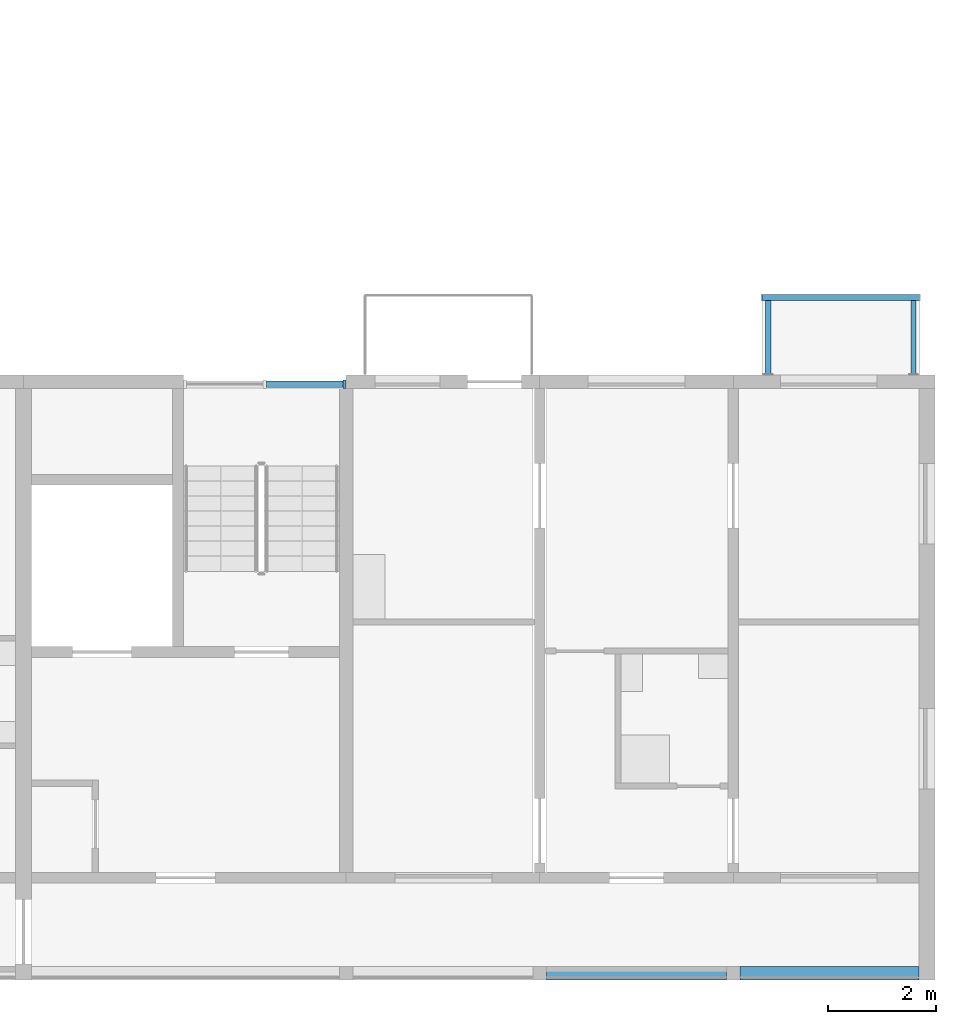
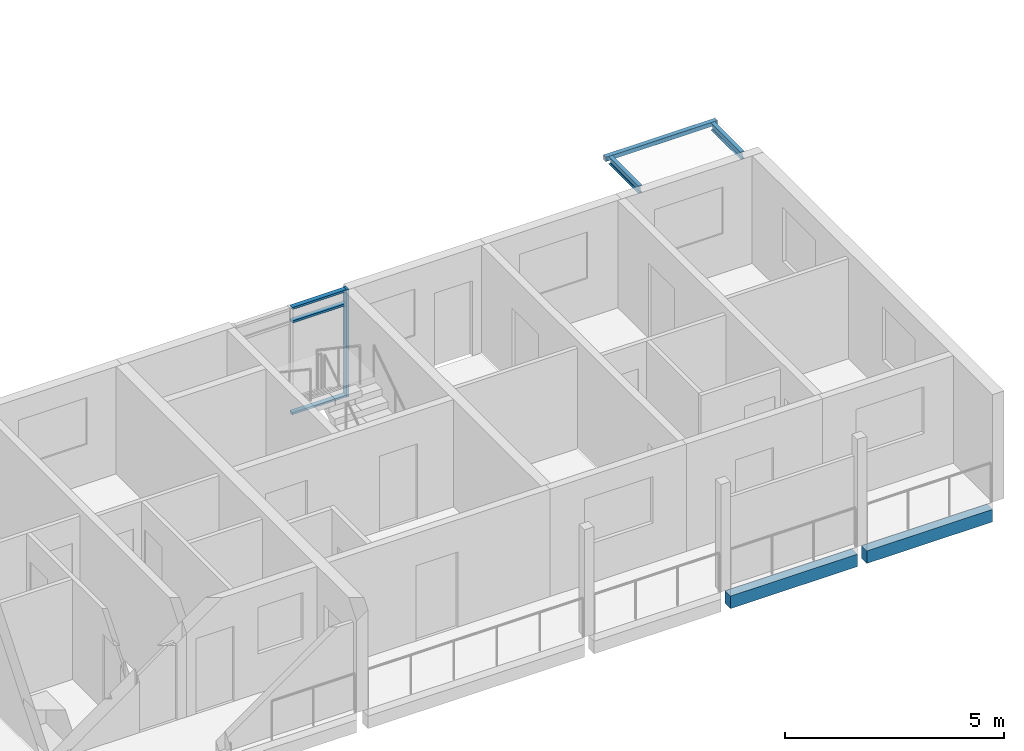
# One storey, part 17 of 93: 5 beams, 4 members, 1 element without a shape of its own.
"""IFC4 building model written with IfcOpenShell, lengths in metres."""

import ifcopenshell
import ifcopenshell.guid

model = None  # the IFC model being written
_history = None  # IfcOwnerHistory: only IFC2X3 demands one
_inside = {}  # id of a spatial element -> (the spatial element, [elements in it])
_under = {}  # id of a project, library or spatial element -> (it, [spatial elements below it])
_declared = {}  # id of a project -> (the project, [libraries it declares])
_typed = {}  # id of a type object -> (the type object, [elements of that type])
_made_of = {}  # id of a material, layer set ... -> (it, [elements and type objects made of it])


def new_model(schema):
    """Start an empty IFC model of exactly this schema.

    Asked for "IFC4X3", IfcOpenShell would pick the latest addendum, in which some entities
    have other attributes; the version numbers below select the first issue.
    IFC2X3 requires an IfcOwnerHistory on every rooted entity: one is made here for all.
    """
    global model, _history
    if schema == "IFC4X3":
        model = ifcopenshell.file(schema_version=(4, 3, 0, 0))
    else:
        model = ifcopenshell.file(schema=schema)
    _inside.clear()
    _under.clear()
    _declared.clear()
    _typed.clear()
    _made_of.clear()
    _history = None
    if model.schema == "IFC2X3":
        org = make("IfcOrganization", Name="unknown")
        user = make(
            "IfcPersonAndOrganization",
            ThePerson=make("IfcPerson", FamilyName="unknown"),
            TheOrganization=org,
        )
        app = make(
            "IfcApplication",
            ApplicationDeveloper=org,
            Version="unknown",
            ApplicationFullName="unknown",
            ApplicationIdentifier="unknown",
        )
        _history = make(
            "IfcOwnerHistory",
            OwningUser=user,
            OwningApplication=app,
            ChangeAction="ADDED",
            CreationDate=0,
        )
    return model


def make(cls, **values):
    """One entity of the class cls with the attributes given. An attribute that is None is left unset."""
    return model.create_entity(
        cls, **{name: value for name, value in values.items() if value is not None}
    )


def rooted(cls, **values):
    """An entity with a GlobalId (a new one), such as an element, a storey or a relation."""
    return make(cls, GlobalId=ifcopenshell.guid.new(), OwnerHistory=_history, **values)


def si_unit(unit_type, name, prefix=None):
    """IfcSIUnit, for example si_unit("LENGTHUNIT", "METRE", prefix="MILLI")."""
    return make("IfcSIUnit", UnitType=unit_type, Prefix=prefix, Name=name)


def assignment(units):
    """IfcUnitAssignment: the units of a project."""
    return None if units is None else make("IfcUnitAssignment", Units=units)


def point(xyz):
    """IfcCartesianPoint."""
    return None if xyz is None else make("IfcCartesianPoint", Coordinates=xyz)


def direction(xyz):
    """IfcDirection."""
    return None if xyz is None else make("IfcDirection", DirectionRatios=xyz)


def frame(location, z_axis=None, x_axis=None):
    """IfcAxis2Placement3D, a coordinate frame: its origin and axes. An axis left out is left unset."""
    return make(
        "IfcAxis2Placement3D",
        Location=point(location),
        Axis=direction(z_axis),
        RefDirection=direction(x_axis),
    )


def frame_2d(location, x_axis=None):
    """IfcAxis2Placement2D, a coordinate frame in the plane: its origin and x axis."""
    return make(
        "IfcAxis2Placement2D", Location=point(location), RefDirection=direction(x_axis)
    )


def origin():
    """The frame at (0, 0, 0) with its axes left unset."""
    return frame((0.0, 0.0, 0.0))


def origin_2d():
    """The frame at (0, 0) in the plane with its x axis left unset."""
    return frame_2d((0.0, 0.0))


def place(relative_to, where):
    """IfcLocalPlacement: puts the frame where relative to a parent placement (None: the world)."""
    return make(
        "IfcLocalPlacement", PlacementRelTo=relative_to, RelativePlacement=where
    )


def context(
    kind, dimensions, precision=None, world=None, true_north=None, identifier=None
):
    """IfcGeometricRepresentationContext, for example the 3D "Model" context."""
    return make(
        "IfcGeometricRepresentationContext",
        ContextIdentifier=identifier,
        ContextType=kind,
        CoordinateSpaceDimension=dimensions,
        Precision=precision,
        WorldCoordinateSystem=world,
        TrueNorth=true_north,
    )


def subcontext(parent, identifier, kind, view, scale=None):
    """IfcGeometricRepresentationSubContext, for example "Body" below "Model"."""
    return make(
        "IfcGeometricRepresentationSubContext",
        ContextIdentifier=identifier,
        ContextType=kind,
        ParentContext=parent,
        TargetScale=scale,
        TargetView=view,
    )


def project(units=None, contexts=None):
    """IfcProject with its units and contexts."""
    return rooted(
        "IfcProject",
        Name="project",
        RepresentationContexts=contexts,
        UnitsInContext=assignment(units),
    )


def spatial(cls, under=None, at=None, **own):
    """A site, building, storey or space (cls), placed at a placement, below another one or the project."""
    s = rooted(cls, ObjectPlacement=at, **own)
    if under is not None:
        _under.setdefault(under.id(), (under, []))[1].append(s)
    return s


def profile(cls, at=None, kind="AREA", **sizes):
    """A parametric profile (cls). Its sizes go by their IFC names, for example OverallWidth=200.0."""
    return make(cls, ProfileType=kind, Position=at, **sizes)


def rectangle(**sizes):
    """IfcRectangleProfileDef."""
    return profile("IfcRectangleProfileDef", **sizes)


def hollow_rectangle(**sizes):
    """IfcRectangleHollowProfileDef."""
    return profile("IfcRectangleHollowProfileDef", **sizes)


def i_section(**sizes):
    """IfcIShapeProfileDef."""
    return profile("IfcIShapeProfileDef", **sizes)


def extrude(swept, where, along, depth):
    """IfcExtrudedAreaSolid: the profile swept, set in the frame where, extruded along a direction by depth."""
    return make(
        "IfcExtrudedAreaSolid",
        SweptArea=swept,
        Position=where,
        ExtrudedDirection=direction(along),
        Depth=depth,
    )


def shape(context_of_items, identifier, shape_type, items):
    """IfcShapeRepresentation: the items that make up one representation, for example the "Body"."""
    return make(
        "IfcShapeRepresentation",
        ContextOfItems=context_of_items,
        RepresentationIdentifier=identifier,
        RepresentationType=shape_type,
        Items=items,
    )


def material(Name=None, Category=None):
    """IfcMaterial."""
    return make("IfcMaterial", Name=Name, Category=Category)


def material_profile(
    of_material, cross_section, Name=None, Category=None, Priority=None
):
    """IfcMaterialProfile: a cross section and its material."""
    return make(
        "IfcMaterialProfile",
        Name=Name,
        Material=of_material,
        Profile=cross_section,
        Priority=Priority,
        Category=Category,
    )


def profile_set(profiles, Name=None, composite=None):
    """IfcMaterialProfileSet."""
    return make(
        "IfcMaterialProfileSet",
        Name=Name,
        MaterialProfiles=profiles,
        CompositeProfile=composite,
    )


def made_of(thing, what):
    """Note that an element or type object is made of a material, layer set ...; save() writes the relation."""
    if what is not None:
        _made_of.setdefault(what.id(), (what, []))[1].append(thing)
    return thing


def type_object(cls, material=None, **own):
    """A type object (cls), such as IfcWallType, which elements share."""
    return made_of(rooted(cls, **own), material)


def element(
    cls,
    number,
    at=None,
    inside=None,
    cuts=None,
    type_object=None,
    material=None,
    context=None,
    identifier="Body",
    shape_type=None,
    held_by="IfcProductDefinitionShape",
    body=None,
    shapes=None,
    **own,
):
    """One element of the class cls, such as IfcWall. Its Tag is "e" and its number.

    at: its placement. inside: the storey or other place that contains it. cuts: it is an
    opening in that element (IfcRelVoidsElement). A single representation is given by context,
    identifier, shape_type and body (its items); several are given by shapes. held_by: the class
    of the entity that holds the representations. save() writes the other relations.
    """
    e = rooted(cls, Tag="e%d" % number, ObjectPlacement=at, **own)
    if body is not None:
        shapes = [shape(context, identifier, shape_type, body)]
    if shapes is not None:
        e.Representation = make(held_by, Representations=shapes)
    if inside is not None:
        _inside.setdefault(inside.id(), (inside, []))[1].append(e)
    if cuts is not None:
        rooted(
            "IfcRelVoidsElement", RelatingBuildingElement=cuts, RelatedOpeningElement=e
        )
    if type_object is not None:
        _typed.setdefault(type_object.id(), (type_object, []))[1].append(e)
    return made_of(e, material)


def aggregate(whole, parts):
    """IfcRelAggregates: a whole, such as a stair, and the parts it consists of."""
    return rooted("IfcRelAggregates", RelatingObject=whole, RelatedObjects=parts)


def save(model, path):
    """Write the relations noted so far, then the file.

    IfcRelAggregates (storeys below a building ...), IfcRelContainedInSpatialStructure (elements
    in a storey), IfcRelDefinesByType, IfcRelAssociatesMaterial and IfcRelDeclares: one each for
    every whole, place, type object, material and project.
    """
    for whole, parts in _under.values():
        aggregate(whole, parts)
    for where, things in _inside.values():
        rooted(
            "IfcRelContainedInSpatialStructure",
            RelatedElements=things,
            RelatingStructure=where,
        )
    for kind, things in _typed.values():
        rooted("IfcRelDefinesByType", RelatedObjects=things, RelatingType=kind)
    for what, things in _made_of.values():
        rooted("IfcRelAssociatesMaterial", RelatedObjects=things, RelatingMaterial=what)
    for by, libraries in _declared.values():
        rooted("IfcRelDeclares", RelatingContext=by, RelatedDefinitions=libraries)
    model.write(path)


model = new_model("IFC4")

# Units and contexts
model_context = context("Model", 3, precision=1e-05, world=origin(), true_north=direction((0.0, 1.0)))
body_context = subcontext(model_context, "Body", "Model", "MODEL_VIEW")
ifc_project = project(units=[si_unit("LENGTHUNIT", "METRE"), si_unit("AREAUNIT", "SQUARE_METRE"), si_unit("VOLUMEUNIT", "CUBIC_METRE"), si_unit("PLANEANGLEUNIT", "RADIAN"), si_unit("MASSUNIT", "GRAM", prefix="KILO")], contexts=[model_context])

# Site, building, storey
site_placement = place(None, origin())
site = spatial("IfcSite", under=ifc_project, at=site_placement, CompositionType="ELEMENT")
building_placement = place(site_placement, origin())
building = spatial("IfcBuilding", under=site, at=building_placement, Name="Ridgestep Commons", CompositionType="ELEMENT")
storey_placement = place(building_placement, frame((0.0, 0.0, 18.0)))
storey = spatial("IfcBuildingStorey", under=building, at=storey_placement, Name="L06", CompositionType="ELEMENT", Elevation=18.0)

# Beams
ifc_material_1 = material(Name="Precast concrete C40/50", Category="concrete")
ifc_material_profile_1 = material_profile(ifc_material_1, rectangle(XDim=0.25, YDim=0.35009765625, at=origin_2d()), Name="PC 250x350")
ifc_profile_set_1 = profile_set([ifc_material_profile_1], Name="Precast concrete C40/50")
beam_type_1 = type_object("IfcBeamType", Name="Loggia edge beam 250 x 350", PredefinedType="SPANDREL", material=ifc_profile_set_1)
beam_1_placement = place(storey_placement, frame((240.52490234375, 11.875, -0.375), z_axis=(1.0, 0.0, 0.0), x_axis=(0.0, 1.0, 0.0)))
element("IfcBeam", 1, at=beam_1_placement, inside=storey, type_object=beam_type_1, Name="Loggia edge beam D6T2 L06", PredefinedType="SPANDREL", context=body_context, shape_type="SweptSolid", body=[
    extrude(rectangle(XDim=0.25, YDim=0.35009765625, at=origin_2d()), origin(), (0.0, 0.0, 1.0), 3.35009765625),
])
beam_2_placement = place(storey_placement, frame((244.125, 11.875, -0.375), z_axis=(1.0, 0.0, 0.0), x_axis=(0.0, 1.0, 0.0)))
element("IfcBeam", 2, at=beam_2_placement, inside=storey, type_object=beam_type_1, Name="Loggia edge beam D6T1 L06", PredefinedType="SPANDREL", context=body_context, shape_type="SweptSolid", body=[
    extrude(rectangle(XDim=0.25, YDim=0.35009765625, at=origin_2d()), origin(), (0.0, 0.0, 1.0), 3.324951171875),
])

# Curtain wall, members
ifc_material_2 = material(Name="Aluminium 6063-T6 and glass", Category="aluminium")
curtain_wall_type = type_object("IfcCurtainWallType", Name="Curtain wall stair strip", PredefinedType="NOTDEFINED", material=ifc_material_2)
curtain_wall_placement = place(storey_placement, origin())
curtain_wall = element("IfcCurtainWall", 3, at=curtain_wall_placement, inside=storey, type_object=curtain_wall_type, Name="Curtain wall D6C level 06", PredefinedType="NOTDEFINED")
ifc_material_3 = material(Name="Aluminium 6063-T6", Category="aluminium")
ifc_material_profile_2 = material_profile(ifc_material_3, rectangle(XDim=0.159912109375, YDim=0.06005859375, at=origin_2d()), Name="Mullion 60 x 160")
ifc_profile_set_2 = profile_set([ifc_material_profile_2], Name="Aluminium 6063-T6")
member_type_1 = type_object("IfcMemberType", Name="Mullion 60 x 160", PredefinedType="MULLION", material=ifc_profile_set_2)
member_1_placement = place(storey_placement, frame((236.77001953125, 22.830078125, 0.0), z_axis=(0.0, 0.0, 1.0), x_axis=(0.0, 1.0, 0.0)))
member_1 = element("IfcMember", 4, at=member_1_placement, type_object=member_type_1, Name="CW1 mullion 3", PredefinedType="MULLION", context=body_context, shape_type="SweptSolid", body=[
    extrude(rectangle(XDim=0.159912109375, YDim=0.06005859375, at=origin_2d()), origin(), (0.0, 0.0, 1.0), 3.0),
])
ifc_material_4 = material(Name="Aluminium 6063-T6", Category="aluminium")
ifc_material_profile_3 = material_profile(ifc_material_4, rectangle(XDim=0.1201171875, YDim=0.06005859375, at=origin_2d()), Name="Transom 60 x 120")
ifc_profile_set_3 = profile_set([ifc_material_profile_3], Name="Aluminium 6063-T6")
member_type_2 = type_object("IfcMemberType", Name="Transom 60 x 120", PredefinedType="USERDEFINED", material=ifc_profile_set_3)
member_2_placement = place(storey_placement, frame((235.3173828125, 22.830078125, 0.030029296875), z_axis=(1.0, 0.0, 0.0), x_axis=(0.0, 1.0, 0.0)))
member_2 = element("IfcMember", 5, at=member_2_placement, type_object=member_type_2, Name="CW1 transom 2.1", ObjectType="TRANSOM", PredefinedType="USERDEFINED", context=body_context, shape_type="SweptSolid", body=[
    extrude(rectangle(XDim=0.1201171875, YDim=0.06005859375, at=origin_2d()), origin(), (0.0, 0.0, 1.0), 1.422607421875),
])
member_3_placement = place(storey_placement, frame((235.3173828125, 22.830078125, 2.590087890625), z_axis=(1.0, 0.0, 0.0), x_axis=(0.0, 1.0, 0.0)))
member_3 = element("IfcMember", 6, at=member_3_placement, type_object=member_type_2, Name="CW1 transom 2.2", ObjectType="TRANSOM", PredefinedType="USERDEFINED", context=body_context, shape_type="SweptSolid", body=[
    extrude(rectangle(XDim=0.1201171875, YDim=0.06005859375, at=origin_2d()), origin(), (0.0, 0.0, 1.0), 1.422607421875),
])
member_4_placement = place(storey_placement, frame((235.3173828125, 22.830078125, 2.969970703125), z_axis=(1.0, 0.0, 0.0), x_axis=(0.0, 1.0, 0.0)))
member_4 = element("IfcMember", 7, at=member_4_placement, type_object=member_type_2, Name="CW1 transom 2.3", ObjectType="TRANSOM", PredefinedType="USERDEFINED", context=body_context, shape_type="SweptSolid", body=[
    extrude(rectangle(XDim=0.1201171875, YDim=0.06005859375, at=origin_2d()), origin(), (0.0, 0.0, 1.0), 1.422607421875),
])
aggregate(curtain_wall, [member_1, member_2, member_3, member_4])

# Beams
ifc_material_5 = material(Name="Weathering steel S355J2W", Category="steel")
ifc_material_profile_4 = material_profile(ifc_material_5, i_section(OverallWidth=0.101806640625, OverallDepth=0.203125, WebThickness=0.00537109375, FlangeThickness=0.00927734375, FilletRadius=0.007568359375, at=origin_2d()), Name="UB 203x102x23")
ifc_profile_set_4 = profile_set([ifc_material_profile_4], Name="Weathering steel S355J2W")
beam_type_2 = type_object("IfcBeamType", Name="Tray arm UB 203x102x23", PredefinedType="BEAM", material=ifc_profile_set_4)
for number, where, z_axis, x_axis, name in (
    (8, (244.64990234375, 23.014892578125, 2.888427734375), (0.0, 1.0, 0.0), (-1.0, 0.0, 0.0), "Tray arm D6T1-07.1"),
    (9, (247.35009765625, 23.014892578125, 2.888427734375), (0.0, 1.0, 0.0), (-1.0, 0.0, 0.0), "Tray arm D6T1-07.2"),
):
    element("IfcBeam", number, at=place(storey_placement, frame(where, z_axis=z_axis, x_axis=x_axis)), inside=storey, type_object=beam_type_2, Name=name, PredefinedType="BEAM", context=body_context, shape_type="SweptSolid", body=[
        extrude(i_section(OverallWidth=0.101806640625, OverallDepth=0.203125, WebThickness=0.00537109375, FlangeThickness=0.00927734375, FilletRadius=0.007568359375, at=origin_2d()), origin(), (0.0, 0.0, 1.0), 1.364990234375),
    ])
ifc_material_6 = material(Name="Weathering steel S355J2W", Category="steel")
ifc_material_profile_5 = material_profile(ifc_material_6, hollow_rectangle(XDim=0.1201171875, YDim=0.1201171875, WallThickness=0.00634765625, InnerFilletRadius=0.00634765625, OuterFilletRadius=0.009521484375, at=origin_2d()), Name="SHS 120x120x6.3")
ifc_profile_set_5 = profile_set([ifc_material_profile_5], Name="Weathering steel S355J2W")
beam_type_3 = type_object("IfcBeamType", Name="Tray edge member SHS 120x120x6.3", PredefinedType="BEAM", material=ifc_profile_set_5)
beam_3_placement = place(storey_placement, frame((244.530029296875, 24.43994140625, 2.929931640625), z_axis=(1.0, 0.0, 0.0), x_axis=(0.0, 0.0, 1.0)))
element("IfcBeam", 10, at=beam_3_placement, inside=storey, type_object=beam_type_3, Name="Tray edge member D6T1-07", PredefinedType="BEAM", context=body_context, shape_type="SweptSolid", body=[
    extrude(hollow_rectangle(XDim=0.1201171875, YDim=0.1201171875, WallThickness=0.00634765625, InnerFilletRadius=0.00634765625, OuterFilletRadius=0.009521484375, at=origin_2d()), origin(), (0.0, 0.0, 1.0), 2.93994140625),
])

save(model, "model.ifc")
